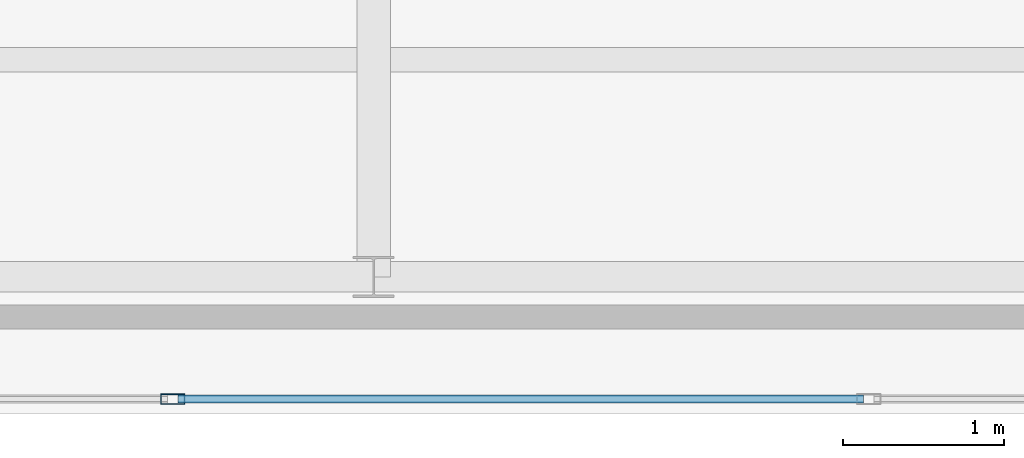
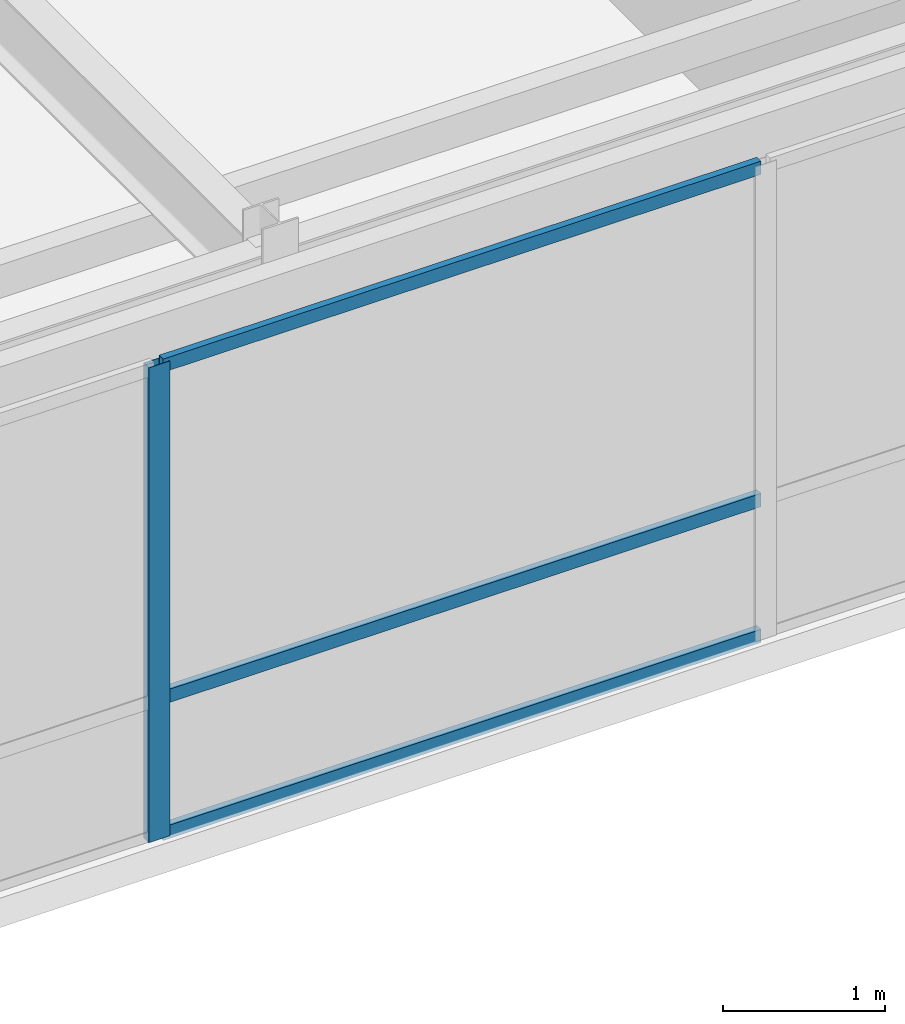
# One storey, part 10 of 36: 4 members, 1 element without a shape of its own.
"""IFC4 building model written with IfcOpenShell, lengths in metres."""

from ifc_helpers import new_model, si_unit, direction, frame, origin, origin_2d, place, context, subcontext, project, spatial, hollow_rectangle, extrude, source, transform, mapped, material, layer, layer_set, material_profile, profile_set, type_object, type_shapes, element, aggregate, save


model = new_model("IFC4")

# Units and contexts
model_context = context("Model", 3, precision=1e-05, world=origin(), true_north=direction((0.0, 1.0)))
body_context = subcontext(model_context, "Body", "Model", "MODEL_VIEW")
ifc_project = project(units=[si_unit("LENGTHUNIT", "METRE"), si_unit("AREAUNIT", "SQUARE_METRE"), si_unit("VOLUMEUNIT", "CUBIC_METRE"), si_unit("PLANEANGLEUNIT", "RADIAN"), si_unit("MASSUNIT", "GRAM", prefix="KILO")], contexts=[model_context])

# Site, building, storey
site_placement = place(None, origin())
site = spatial("IfcSite", under=ifc_project, at=site_placement, CompositionType="ELEMENT")
building_placement = place(site_placement, origin())
building = spatial("IfcBuilding", under=site, at=building_placement, Name="Tolvann Quenvar Hotel", CompositionType="ELEMENT")
storey_placement = place(building_placement, frame((0.0, 0.0, 302.35009765625)))
storey = spatial("IfcBuildingStorey", under=building, at=storey_placement, Name="L80", CompositionType="ELEMENT", Elevation=302.35009765625)

# Curtain wall, members
ifc_material_1 = material(Name="Thermally broken anodised architectural aluminium 6063-T6 and laminated low-E glass", Category="aluminium")
ifc_layer = layer(ifc_material_1, 0.179931640625)
ifc_layer_set = layer_set([ifc_layer], Name="Thermally broken anodised architectural aluminium 6063-T6 and laminated low-E glass")
curtain_wall_type = type_object("IfcCurtainWallType", Name="CW_SYS_LANT_06", PredefinedType="USERDEFINED", material=ifc_layer_set)
curtain_wall_placement = place(storey_placement, origin())
curtain_wall = element("IfcCurtainWall", 1, at=curtain_wall_placement, inside=storey, type_object=curtain_wall_type, Name="Curtain Wall CW-LANT-06 (CWR-L80-E04)", ObjectType="UNITISED CURTAIN WALL", PredefinedType="USERDEFINED")
ifc_material_2 = material(Name="Anodised architectural aluminium 6063-T6 framing", Category="aluminium")
ifc_material_profile_1 = material_profile(ifc_material_2, hollow_rectangle(XDim=0.050048828125, YDim=0.10009765625, WallThickness=0.0029296875, at=origin_2d()), Name="100x50x3RHS")
ifc_profile_set_1 = profile_set([ifc_material_profile_1], Name="Anodised architectural aluminium 6063-T6 framing")
member_type_1 = type_object("IfcMemberType", Name="CW_TRAN_100x50", PredefinedType="USERDEFINED", material=ifc_profile_set_1)
shared_shape_1 = source(origin(), body_context, "Body", "SweptSolid", [
    extrude(hollow_rectangle(XDim=0.050048828125, YDim=0.10009765625, WallThickness=0.0029296875, at=origin_2d()), origin(), (0.0, 0.0, 1.0), 4.2626953125),
])
type_shapes(member_type_1, [shared_shape_1])
member_1_placement = place(storey_placement, frame((20.83251953125, 6.2900390625, 0.02490234375), z_axis=(1.0, 0.0, 0.0), x_axis=(0.0, 1.0, 0.0)))
member_1 = element("IfcMember", 2, at=member_1_placement, type_object=member_type_1, Name="CW-LANT-06 transom 4.1", ObjectType="TRANSOM", PredefinedType="USERDEFINED", context=body_context, shape_type="MappedRepresentation", body=[
    mapped(shared_shape_1, transform((0.0, 0.0, 0.0), x_axis=(1.0, 0.0, 0.0), y_axis=(0.0, 1.0, 0.0), z_axis=(0.0, 0.0, 1.0), scale=1.0)),
])
member_2_placement = place(storey_placement, frame((20.83251953125, 6.2900390625, 1.0498046875), z_axis=(1.0, 0.0, 0.0), x_axis=(0.0, 1.0, 0.0)))
member_2 = element("IfcMember", 3, at=member_2_placement, type_object=member_type_1, Name="CW-LANT-06 transom 4.2", ObjectType="TRANSOM", PredefinedType="USERDEFINED", context=body_context, shape_type="MappedRepresentation", body=[
    mapped(shared_shape_1, transform((0.0, 0.0, 0.0), x_axis=(1.0, 0.0, 0.0), y_axis=(0.0, 1.0, 0.0), z_axis=(0.0, 0.0, 1.0), scale=1.0)),
])
member_3_placement = place(storey_placement, frame((20.83251953125, 6.2900390625, 3.554931640625), z_axis=(1.0, 0.0, 0.0), x_axis=(0.0, 1.0, 0.0)))
member_3 = element("IfcMember", 4, at=member_3_placement, type_object=member_type_1, Name="CW-LANT-06 transom 4.3", ObjectType="TRANSOM", PredefinedType="USERDEFINED", context=body_context, shape_type="MappedRepresentation", body=[
    mapped(shared_shape_1, transform((0.0, 0.0, 0.0), x_axis=(1.0, 0.0, 0.0), y_axis=(0.0, 1.0, 0.0), z_axis=(0.0, 0.0, 1.0), scale=1.0)),
])
ifc_material_profile_2 = material_profile(ifc_material_2, hollow_rectangle(XDim=0.06494140625, YDim=0.14990234375, WallThickness=0.00390625, at=origin_2d()), Name="150x65x4RHS")
ifc_profile_set_2 = profile_set([ifc_material_profile_2], Name="Anodised architectural aluminium 6063-T6 framing")
member_type_2 = type_object("IfcMemberType", Name="CW_MULL_150x65", PredefinedType="MULLION", material=ifc_profile_set_2)
shared_shape_2 = source(origin(), body_context, "Body", "SweptSolid", [
    extrude(hollow_rectangle(XDim=0.06494140625, YDim=0.14990234375, WallThickness=0.00390625, at=origin_2d()), origin(), (0.0, 0.0, 1.0), 3.579833984375),
])
type_shapes(member_type_2, [shared_shape_2])
member_4_placement = place(storey_placement, frame((20.800048828125, 6.2900390625, 0.0), z_axis=(0.0, 0.0, 1.0), x_axis=(0.0, 1.0, 0.0)))
member_4 = element("IfcMember", 5, at=member_4_placement, type_object=member_type_2, Name="CW-LANT-06 mullion 4", PredefinedType="MULLION", context=body_context, shape_type="MappedRepresentation", body=[
    mapped(shared_shape_2, transform((0.0, 0.0, 0.0), x_axis=(1.0, 0.0, 0.0), y_axis=(0.0, 1.0, 0.0), z_axis=(0.0, 0.0, 1.0), scale=1.0)),
])
aggregate(curtain_wall, [member_4, member_1, member_2, member_3])

save(model, "model.ifc")
